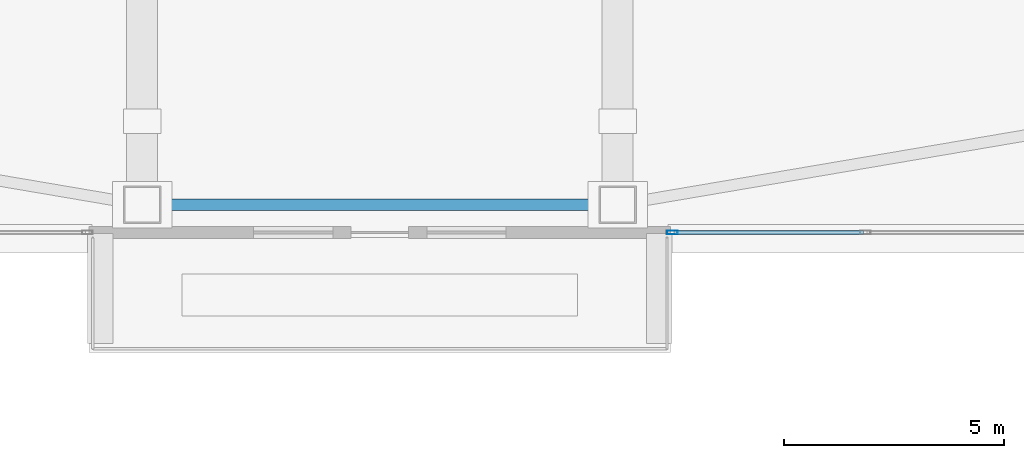
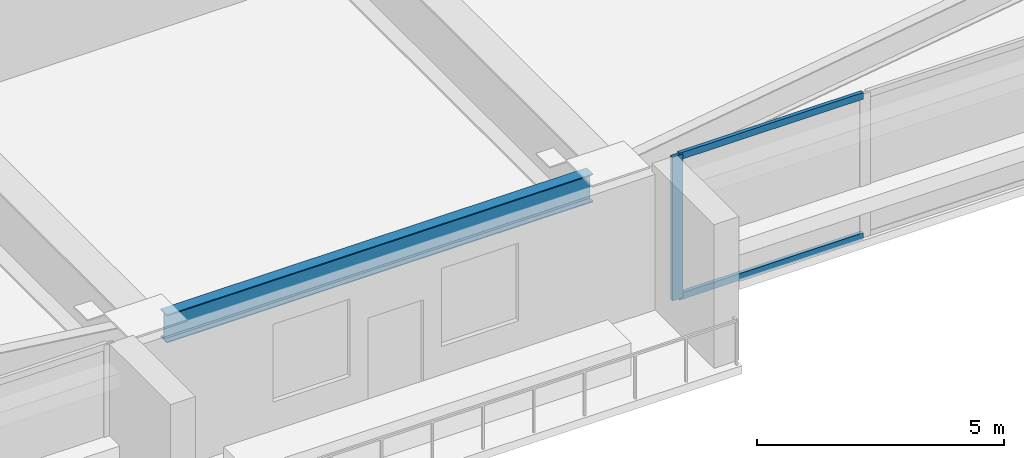
# One storey, part 5 of 48: 3 members, 1 beam, 1 element without a shape of its own.
"""IFC4 building model written with IfcOpenShell, lengths in metres."""

from ifc_helpers import new_model, si_unit, direction, frame, origin, origin_2d, place, context, subcontext, project, spatial, hollow_rectangle, i_section, extrude, material, material_profile, profile_set, type_object, element, aggregate, save


model = new_model("IFC4")

# Units and contexts
model_context = context("Model", 3, precision=1e-05, world=origin(), true_north=direction((0.0, 1.0)))
body_context = subcontext(model_context, "Body", "Model", "MODEL_VIEW")
ifc_project = project(units=[si_unit("LENGTHUNIT", "METRE"), si_unit("AREAUNIT", "SQUARE_METRE"), si_unit("VOLUMEUNIT", "CUBIC_METRE"), si_unit("PLANEANGLEUNIT", "RADIAN"), si_unit("MASSUNIT", "GRAM", prefix="KILO")], contexts=[model_context])

# Site, building, storey
site_placement = place(None, origin())
site = spatial("IfcSite", under=ifc_project, at=site_placement, CompositionType="ELEMENT")
building_placement = place(site_placement, origin())
building = spatial("IfcBuilding", under=site, at=building_placement, Name="Tashvorn Skyway Center", CompositionType="ELEMENT")
storey_placement = place(building_placement, frame((0.0, 0.0, 63.64990234375)))
storey = spatial("IfcBuildingStorey", under=building, at=storey_placement, Name="L16", CompositionType="ELEMENT", Elevation=63.64990234375)

# Beam
ifc_material_1 = material(Name="Steel ASTM A992 Grade 50", Category="steel")
ifc_material_profile_1 = material_profile(ifc_material_1, i_section(OverallWidth=0.256103515625, OverallDepth=0.693115234375, WebThickness=0.014404296875, FlangeThickness=0.023681640625, at=origin_2d()), Name="W27X114")
ifc_profile_set_1 = profile_set([ifc_material_profile_1], Name="Steel ASTM A992 Grade 50")
beam_type = type_object("IfcBeamType", Name="BM-SPANDREL-W27X114", PredefinedType="SPANDREL", material=ifc_profile_set_1)
beam_placement = place(storey_placement, frame((37.02001953125, 9.75, 3.003662109375), z_axis=(1.0, 0.0, 0.0), x_axis=(0.0, 1.0, 0.0)))
element("IfcBeam", 1, at=beam_placement, inside=storey, type_object=beam_type, Name="Tower 1 L16 Spandrel Beam 02", PredefinedType="SPANDREL", context=body_context, shape_type="SweptSolid", body=[
    extrude(i_section(OverallWidth=0.256103515625, OverallDepth=0.693115234375, WebThickness=0.014404296875, FlangeThickness=0.023681640625, at=origin_2d()), origin(), (0.0, 0.0, 1.0), 9.9599609375),
])

# Curtain wall, members
ifc_material_2 = material(Name="Thermally broken bronze-anodized aluminium 6063-T6", Category="aluminium")
curtain_wall_type = type_object("IfcCurtainWallType", Name="CW-CW-Z1", PredefinedType="NOTDEFINED", material=ifc_material_2)
curtain_wall_placement = place(storey_placement, origin())
curtain_wall = element("IfcCurtainWall", 2, at=curtain_wall_placement, inside=storey, type_object=curtain_wall_type, Name="Tower 1 L16 South Curtain Wall L Glazing Group 1", PredefinedType="NOTDEFINED")
ifc_material_profile_2 = material_profile(ifc_material_2, hollow_rectangle(XDim=0.0849609375, YDim=0.239990234375, WallThickness=0.0048828125, at=origin_2d()), Name="ALU-MULL-85x240")
ifc_profile_set_2 = profile_set([ifc_material_profile_2], Name="Thermally broken bronze-anodized aluminium 6063-T6")
member_type_1 = type_object("IfcMemberType", Name="CWM-CW-Z1", PredefinedType="MULLION", material=ifc_profile_set_2)
member_1_placement = place(storey_placement, frame((48.642578125, 9.1201171875, 0.0), z_axis=(0.0, 0.0, 1.0), x_axis=(0.0, -1.0, 0.0)))
member_1 = element("IfcMember", 3, at=member_1_placement, type_object=member_type_1, Name="CW-Z1 mullion 3", PredefinedType="MULLION", context=body_context, shape_type="SweptSolid", body=[
    extrude(hollow_rectangle(XDim=0.0849609375, YDim=0.239990234375, WallThickness=0.0048828125, at=origin_2d()), origin(), (0.0, 0.0, 1.0), 3.550048828125),
])
ifc_material_profile_3 = material_profile(ifc_material_2, hollow_rectangle(XDim=0.0849609375, YDim=0.1650390625, WallThickness=0.0048828125, at=origin_2d()), Name="ALU-TRAN-85x165")
ifc_profile_set_3 = profile_set([ifc_material_profile_3], Name="Thermally broken bronze-anodized aluminium 6063-T6")
member_type_2 = type_object("IfcMemberType", Name="CWT-CW-Z1", PredefinedType="USERDEFINED", material=ifc_profile_set_3)
member_2_placement = place(storey_placement, frame((52.984130859375, 9.1201171875, 0.04248046875), z_axis=(-1.0, 0.0, 0.0), x_axis=(0.0, -1.0, 0.0)))
member_2 = element("IfcMember", 4, at=member_2_placement, type_object=member_type_2, Name="CW-Z1 transom 2.1", ObjectType="TRANSOM", PredefinedType="USERDEFINED", context=body_context, shape_type="SweptSolid", body=[
    extrude(hollow_rectangle(XDim=0.0849609375, YDim=0.1650390625, WallThickness=0.0048828125, at=origin_2d()), origin(), (0.0, 0.0, 1.0), 4.299072265625),
])
member_3_placement = place(storey_placement, frame((52.984130859375, 9.1201171875, 3.507568359375), z_axis=(-1.0, 0.0, 0.0), x_axis=(0.0, -1.0, 0.0)))
member_3 = element("IfcMember", 5, at=member_3_placement, type_object=member_type_2, Name="CW-Z1 transom 2.2", ObjectType="TRANSOM", PredefinedType="USERDEFINED", context=body_context, shape_type="SweptSolid", body=[
    extrude(hollow_rectangle(XDim=0.0849609375, YDim=0.1650390625, WallThickness=0.0048828125, at=origin_2d()), origin(), (0.0, 0.0, 1.0), 4.299072265625),
])
aggregate(curtain_wall, [member_1, member_2, member_3])

save(model, "model.ifc")
